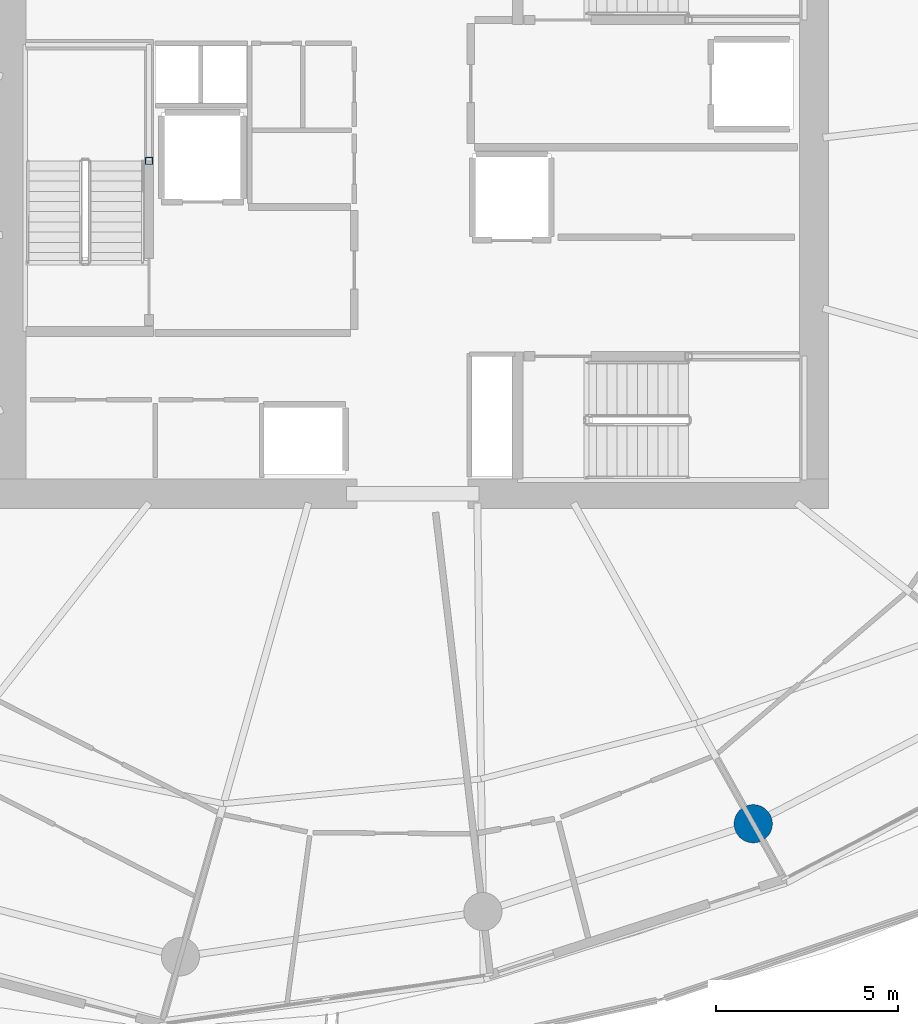
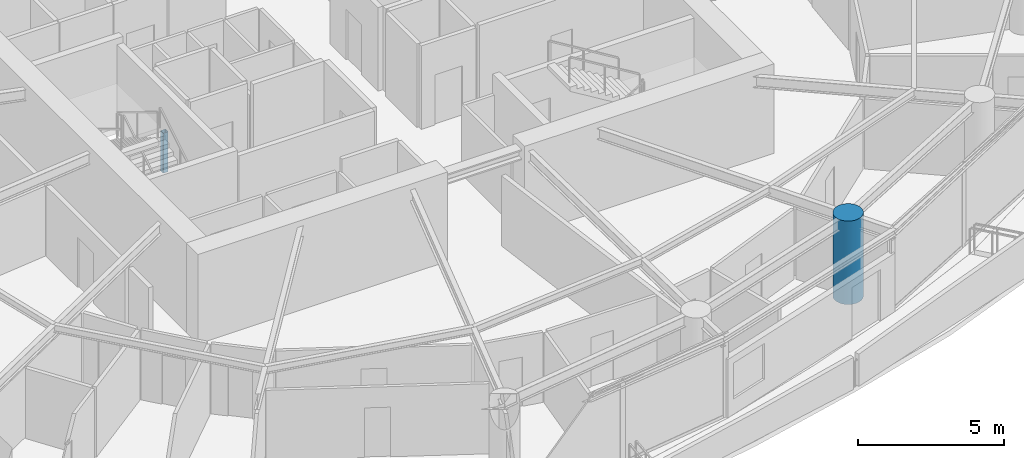
# One storey, part 2 of 20: 2 columns.
"""IFC4 building model written with IfcOpenShell, lengths in metres."""

import ifcopenshell
import ifcopenshell.guid

model = None  # the IFC model being written
_history = None  # IfcOwnerHistory: only IFC2X3 demands one
_inside = {}  # id of a spatial element -> (the spatial element, [elements in it])
_under = {}  # id of a project, library or spatial element -> (it, [spatial elements below it])
_declared = {}  # id of a project -> (the project, [libraries it declares])
_typed = {}  # id of a type object -> (the type object, [elements of that type])
_made_of = {}  # id of a material, layer set ... -> (it, [elements and type objects made of it])


def new_model(schema):
    """Start an empty IFC model of exactly this schema.

    Asked for "IFC4X3", IfcOpenShell would pick the latest addendum, in which some entities
    have other attributes; the version numbers below select the first issue.
    IFC2X3 requires an IfcOwnerHistory on every rooted entity: one is made here for all.
    """
    global model, _history
    if schema == "IFC4X3":
        model = ifcopenshell.file(schema_version=(4, 3, 0, 0))
    else:
        model = ifcopenshell.file(schema=schema)
    _inside.clear()
    _under.clear()
    _declared.clear()
    _typed.clear()
    _made_of.clear()
    _history = None
    if model.schema == "IFC2X3":
        org = make("IfcOrganization", Name="unknown")
        user = make(
            "IfcPersonAndOrganization",
            ThePerson=make("IfcPerson", FamilyName="unknown"),
            TheOrganization=org,
        )
        app = make(
            "IfcApplication",
            ApplicationDeveloper=org,
            Version="unknown",
            ApplicationFullName="unknown",
            ApplicationIdentifier="unknown",
        )
        _history = make(
            "IfcOwnerHistory",
            OwningUser=user,
            OwningApplication=app,
            ChangeAction="ADDED",
            CreationDate=0,
        )
    return model


def make(cls, **values):
    """One entity of the class cls with the attributes given. An attribute that is None is left unset."""
    return model.create_entity(
        cls, **{name: value for name, value in values.items() if value is not None}
    )


def rooted(cls, **values):
    """An entity with a GlobalId (a new one), such as an element, a storey or a relation."""
    return make(cls, GlobalId=ifcopenshell.guid.new(), OwnerHistory=_history, **values)


def si_unit(unit_type, name, prefix=None):
    """IfcSIUnit, for example si_unit("LENGTHUNIT", "METRE", prefix="MILLI")."""
    return make("IfcSIUnit", UnitType=unit_type, Prefix=prefix, Name=name)


def assignment(units):
    """IfcUnitAssignment: the units of a project."""
    return None if units is None else make("IfcUnitAssignment", Units=units)


def point(xyz):
    """IfcCartesianPoint."""
    return None if xyz is None else make("IfcCartesianPoint", Coordinates=xyz)


def direction(xyz):
    """IfcDirection."""
    return None if xyz is None else make("IfcDirection", DirectionRatios=xyz)


def frame(location, z_axis=None, x_axis=None):
    """IfcAxis2Placement3D, a coordinate frame: its origin and axes. An axis left out is left unset."""
    return make(
        "IfcAxis2Placement3D",
        Location=point(location),
        Axis=direction(z_axis),
        RefDirection=direction(x_axis),
    )


def frame_2d(location, x_axis=None):
    """IfcAxis2Placement2D, a coordinate frame in the plane: its origin and x axis."""
    return make(
        "IfcAxis2Placement2D", Location=point(location), RefDirection=direction(x_axis)
    )


def origin():
    """The frame at (0, 0, 0) with its axes left unset."""
    return frame((0.0, 0.0, 0.0))


def origin_2d():
    """The frame at (0, 0) in the plane with its x axis left unset."""
    return frame_2d((0.0, 0.0))


def place(relative_to, where):
    """IfcLocalPlacement: puts the frame where relative to a parent placement (None: the world)."""
    return make(
        "IfcLocalPlacement", PlacementRelTo=relative_to, RelativePlacement=where
    )


def context(
    kind, dimensions, precision=None, world=None, true_north=None, identifier=None
):
    """IfcGeometricRepresentationContext, for example the 3D "Model" context."""
    return make(
        "IfcGeometricRepresentationContext",
        ContextIdentifier=identifier,
        ContextType=kind,
        CoordinateSpaceDimension=dimensions,
        Precision=precision,
        WorldCoordinateSystem=world,
        TrueNorth=true_north,
    )


def subcontext(parent, identifier, kind, view, scale=None):
    """IfcGeometricRepresentationSubContext, for example "Body" below "Model"."""
    return make(
        "IfcGeometricRepresentationSubContext",
        ContextIdentifier=identifier,
        ContextType=kind,
        ParentContext=parent,
        TargetScale=scale,
        TargetView=view,
    )


def project(units=None, contexts=None):
    """IfcProject with its units and contexts."""
    return rooted(
        "IfcProject",
        Name="project",
        RepresentationContexts=contexts,
        UnitsInContext=assignment(units),
    )


def spatial(cls, under=None, at=None, **own):
    """A site, building, storey or space (cls), placed at a placement, below another one or the project."""
    s = rooted(cls, ObjectPlacement=at, **own)
    if under is not None:
        _under.setdefault(under.id(), (under, []))[1].append(s)
    return s


def profile(cls, at=None, kind="AREA", **sizes):
    """A parametric profile (cls). Its sizes go by their IFC names, for example OverallWidth=200.0."""
    return make(cls, ProfileType=kind, Position=at, **sizes)


def hollow_rectangle(**sizes):
    """IfcRectangleHollowProfileDef."""
    return profile("IfcRectangleHollowProfileDef", **sizes)


def circle(**sizes):
    """IfcCircleProfileDef."""
    return profile("IfcCircleProfileDef", **sizes)


def extrude(swept, where, along, depth):
    """IfcExtrudedAreaSolid: the profile swept, set in the frame where, extruded along a direction by depth."""
    return make(
        "IfcExtrudedAreaSolid",
        SweptArea=swept,
        Position=where,
        ExtrudedDirection=direction(along),
        Depth=depth,
    )


def shape(context_of_items, identifier, shape_type, items):
    """IfcShapeRepresentation: the items that make up one representation, for example the "Body"."""
    return make(
        "IfcShapeRepresentation",
        ContextOfItems=context_of_items,
        RepresentationIdentifier=identifier,
        RepresentationType=shape_type,
        Items=items,
    )


def material(Name=None, Category=None):
    """IfcMaterial."""
    return make("IfcMaterial", Name=Name, Category=Category)


def material_profile(
    of_material, cross_section, Name=None, Category=None, Priority=None
):
    """IfcMaterialProfile: a cross section and its material."""
    return make(
        "IfcMaterialProfile",
        Name=Name,
        Material=of_material,
        Profile=cross_section,
        Priority=Priority,
        Category=Category,
    )


def profile_set(profiles, Name=None, composite=None):
    """IfcMaterialProfileSet."""
    return make(
        "IfcMaterialProfileSet",
        Name=Name,
        MaterialProfiles=profiles,
        CompositeProfile=composite,
    )


def made_of(thing, what):
    """Note that an element or type object is made of a material, layer set ...; save() writes the relation."""
    if what is not None:
        _made_of.setdefault(what.id(), (what, []))[1].append(thing)
    return thing


def type_object(cls, material=None, **own):
    """A type object (cls), such as IfcWallType, which elements share."""
    return made_of(rooted(cls, **own), material)


def element(
    cls,
    number,
    at=None,
    inside=None,
    cuts=None,
    type_object=None,
    material=None,
    context=None,
    identifier="Body",
    shape_type=None,
    held_by="IfcProductDefinitionShape",
    body=None,
    shapes=None,
    **own,
):
    """One element of the class cls, such as IfcWall. Its Tag is "e" and its number.

    at: its placement. inside: the storey or other place that contains it. cuts: it is an
    opening in that element (IfcRelVoidsElement). A single representation is given by context,
    identifier, shape_type and body (its items); several are given by shapes. held_by: the class
    of the entity that holds the representations. save() writes the other relations.
    """
    e = rooted(cls, Tag="e%d" % number, ObjectPlacement=at, **own)
    if body is not None:
        shapes = [shape(context, identifier, shape_type, body)]
    if shapes is not None:
        e.Representation = make(held_by, Representations=shapes)
    if inside is not None:
        _inside.setdefault(inside.id(), (inside, []))[1].append(e)
    if cuts is not None:
        rooted(
            "IfcRelVoidsElement", RelatingBuildingElement=cuts, RelatedOpeningElement=e
        )
    if type_object is not None:
        _typed.setdefault(type_object.id(), (type_object, []))[1].append(e)
    return made_of(e, material)


def aggregate(whole, parts):
    """IfcRelAggregates: a whole, such as a stair, and the parts it consists of."""
    return rooted("IfcRelAggregates", RelatingObject=whole, RelatedObjects=parts)


def save(model, path):
    """Write the relations noted so far, then the file.

    IfcRelAggregates (storeys below a building ...), IfcRelContainedInSpatialStructure (elements
    in a storey), IfcRelDefinesByType, IfcRelAssociatesMaterial and IfcRelDeclares: one each for
    every whole, place, type object, material and project.
    """
    for whole, parts in _under.values():
        aggregate(whole, parts)
    for where, things in _inside.values():
        rooted(
            "IfcRelContainedInSpatialStructure",
            RelatedElements=things,
            RelatingStructure=where,
        )
    for kind, things in _typed.values():
        rooted("IfcRelDefinesByType", RelatedObjects=things, RelatingType=kind)
    for what, things in _made_of.values():
        rooted("IfcRelAssociatesMaterial", RelatedObjects=things, RelatingMaterial=what)
    for by, libraries in _declared.values():
        rooted("IfcRelDeclares", RelatingContext=by, RelatedDefinitions=libraries)
    model.write(path)


model = new_model("IFC4")

# Units and contexts
model_context = context("Model", 3, precision=1e-05, world=origin(), true_north=direction((0.0, 1.0)))
body_context = subcontext(model_context, "Body", "Model", "MODEL_VIEW")
ifc_project = project(units=[si_unit("LENGTHUNIT", "METRE"), si_unit("AREAUNIT", "SQUARE_METRE"), si_unit("VOLUMEUNIT", "CUBIC_METRE"), si_unit("PLANEANGLEUNIT", "RADIAN"), si_unit("MASSUNIT", "GRAM", prefix="KILO")], contexts=[model_context])

# Site, building, storey
site_placement = place(None, origin())
site = spatial("IfcSite", under=ifc_project, at=site_placement, CompositionType="ELEMENT")
building_placement = place(site_placement, origin())
building = spatial("IfcBuilding", under=site, at=building_placement, Name="Kazma Halo Residences", CompositionType="ELEMENT")
storey_placement = place(building_placement, frame((0.0, 0.0, 157.800048828125)))
storey = spatial("IfcBuildingStorey", under=building, at=storey_placement, Name="L39", CompositionType="ELEMENT", Elevation=157.800048828125)

# Columns
ifc_material_1 = material(Name="Steel S355", Category="steel")
ifc_material_profile_1 = material_profile(ifc_material_1, hollow_rectangle(XDim=0.199951171875, YDim=0.199951171875, WallThickness=0.010009765625, InnerFilletRadius=0.010009765625, OuterFilletRadius=0.02001953125, at=origin_2d()), Name="SHS200x200x10")
ifc_profile_set_1 = profile_set([ifc_material_profile_1], Name="Steel S355")
column_type_1 = type_object("IfcColumnType", Name="COL-LP-SHS200", PredefinedType="COLUMN", material=ifc_profile_set_1)
column_1_placement = place(storey_placement, frame((41.179931640625, 42.75, 0.0), z_axis=(0.0, 0.0, 1.0), x_axis=(1.0, 0.0, 0.0)))
element("IfcColumn", 1, at=column_1_placement, inside=storey, type_object=column_type_1, Name="L39 ST-01 landing pilaster 1", PredefinedType="COLUMN", context=body_context, shape_type="SweptSolid", body=[
    extrude(hollow_rectangle(XDim=0.199951171875, YDim=0.199951171875, WallThickness=0.010009765625, InnerFilletRadius=0.010009765625, OuterFilletRadius=0.02001953125, at=origin_2d()), origin(), (0.0, 0.0, 1.0), 1.669921875),
])
ifc_material_2 = material(Name="Concrete C80/95", Category="concrete")
ifc_material_profile_2 = material_profile(ifc_material_2, circle(Radius=0.52490234375, at=origin_2d()), Name="CIRC1050")
ifc_profile_set_2 = profile_set([ifc_material_profile_2], Name="Concrete C80/95")
column_type_2 = type_object("IfcColumnType", Name="COL-PERIM-1050", PredefinedType="COLUMN", material=ifc_profile_set_2)
column_2_placement = place(storey_placement, frame((57.781982421875, 24.53271484375, 0.0), z_axis=(0.0, 0.0, 1.0), x_axis=(1.0, 0.0, 0.0)))
element("IfcColumn", 2, at=column_2_placement, inside=storey, type_object=column_type_2, Name="L39 perimeter ring column P13", PredefinedType="COLUMN", context=body_context, shape_type="SweptSolid", body=[
    extrude(circle(Radius=0.52490234375, at=origin_2d()), origin(), (0.0, 0.0, 1.0), 3.5),
])

save(model, "model.ifc")
